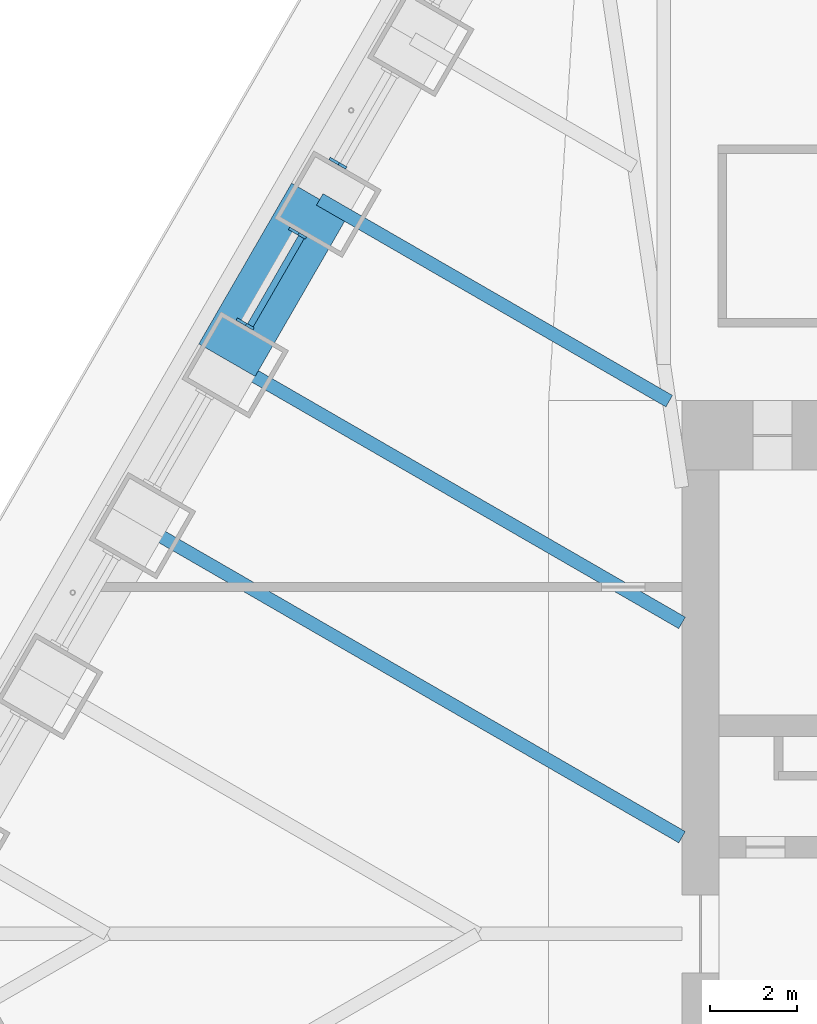
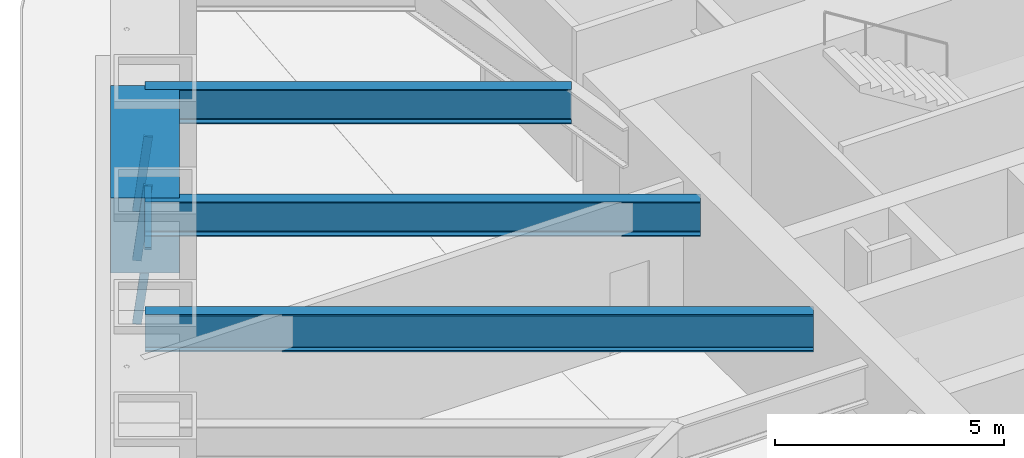
# One storey, part 7 of 18: 4 beams, 4 members, 2 elements without a shape of their own.
"""IFC4 building model written with IfcOpenShell, lengths in metres."""

from ifc_helpers import new_model, si_unit, direction, frame, origin, origin_2d, place, context, subcontext, project, spatial, rectangle, i_section, extrude, material, material_profile, profile_set, type_object, element, aggregate, save


model = new_model("IFC4")

# Units and contexts
model_context = context("Model", 3, precision=1e-05, world=origin(), true_north=direction((0.0, 1.0)))
body_context = subcontext(model_context, "Body", "Model", "MODEL_VIEW")
ifc_project = project(units=[si_unit("LENGTHUNIT", "METRE"), si_unit("AREAUNIT", "SQUARE_METRE"), si_unit("VOLUMEUNIT", "CUBIC_METRE"), si_unit("PLANEANGLEUNIT", "RADIAN"), si_unit("MASSUNIT", "GRAM", prefix="KILO")], contexts=[model_context])

# Site, building, storey
site_placement = place(None, origin())
site = spatial("IfcSite", under=ifc_project, at=site_placement, CompositionType="ELEMENT")
building_placement = place(site_placement, origin())
building = spatial("IfcBuilding", under=site, at=building_placement, Name="Tarfa Lantern Tower", CompositionType="ELEMENT")
storey_placement = place(building_placement, frame((0.0, 0.0, 311.5)))
storey = spatial("IfcBuildingStorey", under=building, at=storey_placement, Name="L70", CompositionType="ELEMENT", Elevation=311.5)

# Curtain wall, member
ifc_material_1 = material(Name="Aluminium framed curtain wall", Category="aluminium")
curtain_wall_type = type_object("IfcCurtainWallType", Name="CW4 CANTED GLAZING EXECUTIVE ZONE 2000", PredefinedType="USERDEFINED", material=ifc_material_1)
curtain_wall_1_placement = place(storey_placement, origin())
curtain_wall_1 = element("IfcCurtainWall", 1, at=curtain_wall_1_placement, inside=storey, type_object=curtain_wall_type, Name="CW4 NW L70", ObjectType="CURTAIN WALL", PredefinedType="USERDEFINED")
ifc_material_2 = material(Name="Aluminium mullion", Category="aluminium")
ifc_material_profile_1 = material_profile(ifc_material_2, rectangle(XDim=0.06494140625, YDim=0.199951171875, at=origin_2d()), Name="AL MULLION 65x200")
ifc_profile_set_1 = profile_set([ifc_material_profile_1], Name="Aluminium mullion")
member_type_1 = type_object("IfcMemberType", Name="CWM1 MULLION 65x200", PredefinedType="MULLION", material=ifc_profile_set_1)
member_1_placement = place(storey_placement, frame((-20.472412109375, 17.8408203125, 0.0), z_axis=(0.107439978116, -0.062017213975, 0.992275423596), x_axis=(0.499919672301, 0.866071776036, 0.0)))
member_1 = element("IfcMember", 2, at=member_1_placement, type_object=member_type_1, Name="CW4 mullion 2", PredefinedType="MULLION", context=body_context, shape_type="SweptSolid", body=[
    extrude(rectangle(XDim=0.06494140625, YDim=0.199951171875, at=origin_2d()), origin(), (0.0, 0.0, 1.0), 2.015625),
])
aggregate(curtain_wall_1, [member_1])

# Curtain wall, members
curtain_wall_2_placement = place(storey_placement, origin())
curtain_wall_2 = element("IfcCurtainWall", 3, at=curtain_wall_2_placement, inside=storey, type_object=curtain_wall_type, Name="CW4 NW L70", ObjectType="CURTAIN WALL", PredefinedType="USERDEFINED")
member_2_placement = place(storey_placement, frame((-21.40478515625, 16.225830078125, 0.0), z_axis=(0.107439978116, -0.062017213975, 0.992275423596), x_axis=(0.499919672301, 0.866071776036, 0.0)))
member_2 = element("IfcMember", 4, at=member_2_placement, type_object=member_type_1, Name="CW4 mullion 1", PredefinedType="MULLION", context=body_context, shape_type="SweptSolid", body=[
    extrude(rectangle(XDim=0.06494140625, YDim=0.199951171875, at=origin_2d()), origin(), (0.0, 0.0, 1.0), 2.015625),
])
member_3_placement = place(storey_placement, frame((-22.61328125, 14.132568359375, 0.0), z_axis=(0.107439978116, -0.062017213975, 0.992275423596), x_axis=(0.499919672301, 0.866071776036, 0.0)))
member_3 = element("IfcMember", 5, at=member_3_placement, type_object=member_type_1, Name="CW4 mullion 2", PredefinedType="MULLION", context=body_context, shape_type="SweptSolid", body=[
    extrude(rectangle(XDim=0.06494140625, YDim=0.199951171875, at=origin_2d()), origin(), (0.0, 0.0, 1.0), 2.015625),
])
ifc_material_3 = material(Name="Aluminium transom", Category="aluminium")
ifc_material_profile_2 = material_profile(ifc_material_3, rectangle(XDim=0.14990234375, YDim=0.06494140625, at=origin_2d()), Name="AL TRANSOM 150x65")
ifc_profile_set_2 = profile_set([ifc_material_profile_2], Name="Aluminium transom")
member_type_2 = type_object("IfcMemberType", Name="CWT1 TRANSOM 150x65", PredefinedType="USERDEFINED", material=ifc_profile_set_2)
member_4_placement = place(storey_placement, frame((-21.2080078125, 16.07470703125, 1.967529296875), z_axis=(-0.500012978079, -0.866017910757, 0.0), x_axis=(0.866017910757, -0.500012978079, 0.0)))
member_4 = element("IfcMember", 6, at=member_4_placement, type_object=member_type_2, Name="CW4 transom 1.2", ObjectType="TRANSOM", PredefinedType="USERDEFINED", context=body_context, shape_type="SweptSolid", body=[
    extrude(rectangle(XDim=0.14990234375, YDim=0.06494140625, at=origin_2d()), origin(), (0.0, 0.0, 1.0), 2.35205078125),
])
aggregate(curtain_wall_2, [member_2, member_3, member_4])

# Beams
ifc_material_4 = material(Name="Concrete C80/95", Category="concrete")
ifc_material_profile_3 = material_profile(ifc_material_4, rectangle(XDim=1.5, YDim=2.0, at=origin_2d()), Name="RC 1500x2000")
ifc_profile_set_3 = profile_set([ifc_material_profile_3], Name="Concrete C80/95")
beam_type_1 = type_object("IfcBeamType", Name="RB3 RC 1500x2000", PredefinedType="BEAM", material=ifc_profile_set_3)
beam_1_placement = place(storey_placement, frame((-20.78271484375, 16.943359375, 3.0), z_axis=(-0.499984039138, -0.866034618596, 0.0), x_axis=(0.866034618596, -0.499984039138, 0.0)))
element("IfcBeam", 7, at=beam_1_placement, inside=storey, type_object=beam_type_1, Name="Edge beam NW2", PredefinedType="BEAM", context=body_context, shape_type="SweptSolid", body=[
    extrude(rectangle(XDim=1.5, YDim=2.0, at=origin_2d()), origin(), (0.0, 0.0, 1.0), 4.281982421875),
])
ifc_material_5 = material(Name="Steel S460M", Category="steel")
ifc_material_profile_4 = material_profile(ifc_material_5, i_section(OverallWidth=0.302001953125, OverallDepth=1.008056640625, WebThickness=0.02099609375, FlangeThickness=0.0400390625, FilletRadius=0.030029296875, at=origin_2d()), Name="UB1016x305x349")
ifc_profile_set_4 = profile_set([ifc_material_profile_4], Name="Steel S460M")
beam_type_2 = type_object("IfcBeamType", Name="UB1016x305x349", PredefinedType="BEAM", material=ifc_profile_set_4)
beam_2_placement = place(storey_placement, frame((-25.064697265625, 9.526611328125, 3.495849609375), z_axis=(0.866029591389, -0.499992746786, 0.0), x_axis=(0.499992746786, 0.866029591389, 0.0)))
element("IfcBeam", 8, at=beam_2_placement, inside=storey, type_object=beam_type_2, Name="Floor beam NW4", PredefinedType="BEAM", context=body_context, shape_type="SweptSolid", body=[
    extrude(i_section(OverallWidth=0.302001953125, OverallDepth=1.008056640625, WebThickness=0.02099609375, FlangeThickness=0.0400390625, FilletRadius=0.030029296875, at=origin_2d()), origin(), (0.0, 0.0, 1.0), 14.594970703125),
])
ifc_material_profile_5 = material_profile(ifc_material_5, i_section(OverallWidth=0.305419921875, OverallDepth=0.91845703125, WebThickness=0.017333984375, FlangeThickness=0.02783203125, FilletRadius=0.01904296875, at=origin_2d()), Name="UB914x305x253")
ifc_profile_set_5 = profile_set([ifc_material_profile_5], Name="Steel S460M")
beam_type_3 = type_object("IfcBeamType", Name="UB914x305x253", PredefinedType="BEAM", material=ifc_profile_set_5)
beam_3_placement = place(storey_placement, frame((-20.78271484375, 16.943359375, 3.540771484375), z_axis=(0.866021806508, -0.500006230613, 0.0), x_axis=(0.500006230613, 0.866021806508, 0.0)))
element("IfcBeam", 9, at=beam_3_placement, inside=storey, type_object=beam_type_3, Name="Floor beam NW2", PredefinedType="BEAM", context=body_context, shape_type="SweptSolid", body=[
    extrude(i_section(OverallWidth=0.305419921875, OverallDepth=0.91845703125, WebThickness=0.017333984375, FlangeThickness=0.02783203125, FilletRadius=0.01904296875, at=origin_2d()), origin(), (0.0, 0.0, 1.0), 9.30908203125),
])
beam_4_placement = place(storey_placement, frame((-22.923583984375, 13.235107421875, 3.540771484375), z_axis=(0.86601856927, -0.500011837539, 0.0), x_axis=(0.500011837539, 0.86601856927, 0.0)))
element("IfcBeam", 10, at=beam_4_placement, inside=storey, type_object=beam_type_3, Name="Floor beam NW3", PredefinedType="BEAM", context=body_context, shape_type="SweptSolid", body=[
    extrude(i_section(OverallWidth=0.305419921875, OverallDepth=0.91845703125, WebThickness=0.017333984375, FlangeThickness=0.02783203125, FilletRadius=0.01904296875, at=origin_2d()), origin(), (0.0, 0.0, 1.0), 12.122802734375),
])

save(model, "model.ifc")
